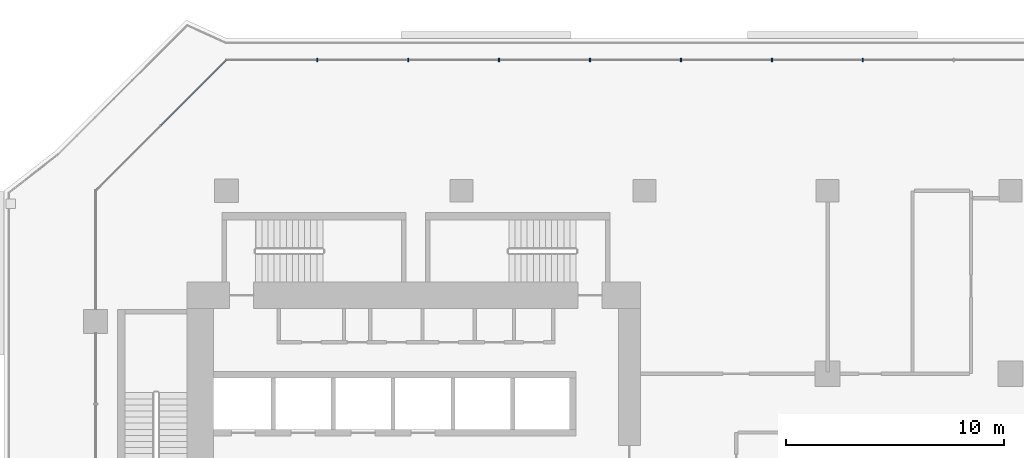
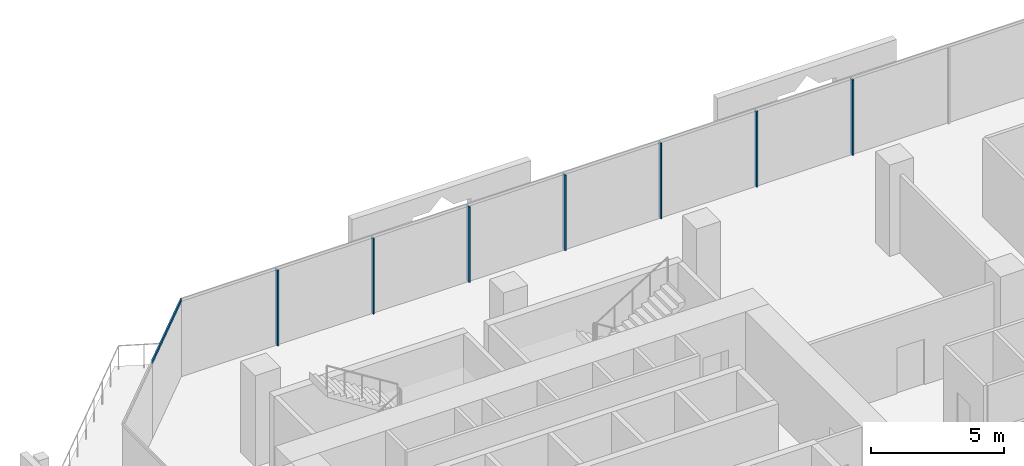
# One storey, part 8 of 25: 8 members, 2 elements without a shape of their own.
"""IFC4 building model written with IfcOpenShell, lengths in metres."""

from ifc_helpers import new_model, si_unit, direction, frame, origin, origin_2d, place, context, subcontext, project, spatial, rectangle, extrude, material, layer, layer_set, material_profile, profile_set, type_object, element, aggregate, save


model = new_model("IFC4")

# Units and contexts
model_context = context("Model", 3, precision=1e-05, world=origin(), true_north=direction((0.0, 1.0)))
body_context = subcontext(model_context, "Body", "Model", "MODEL_VIEW")
ifc_project = project(units=[si_unit("LENGTHUNIT", "METRE"), si_unit("AREAUNIT", "SQUARE_METRE"), si_unit("VOLUMEUNIT", "CUBIC_METRE"), si_unit("PLANEANGLEUNIT", "RADIAN"), si_unit("MASSUNIT", "GRAM", prefix="KILO")], contexts=[model_context])

# Site, building, storey
site_placement = place(None, origin())
site = spatial("IfcSite", under=ifc_project, at=site_placement, CompositionType="ELEMENT")
building_placement = place(site_placement, origin())
building = spatial("IfcBuilding", under=site, at=building_placement, Name="Kawkab Arch Medical Tower", CompositionType="ELEMENT")
storey_placement = place(building_placement, frame((0.0, 0.0, 111.39990234375)))
storey = spatial("IfcBuildingStorey", under=building, at=storey_placement, Name="L25", CompositionType="ELEMENT", Elevation=111.39990234375)

# Curtain wall, members
ifc_material_1 = material(Name="Bronze anodised aluminium curtain wall frame", Category="aluminium")
ifc_layer_1 = layer(ifc_material_1, 0.159912109375)
ifc_layer_set_1 = layer_set([ifc_layer_1], Name="Bronze anodised aluminium curtain wall frame")
curtain_wall_type_1 = type_object("IfcCurtainWallType", Name="CW1 ward curtain wall", PredefinedType="NOTDEFINED", material=ifc_layer_set_1)
placement = place(storey_placement, origin())
curtain_wall_1 = element("IfcCurtainWall", 1, at=placement, inside=storey, type_object=curtain_wall_type_1, Name="CW1 Ward curtain wall R11", PredefinedType="NOTDEFINED")
ifc_material_2 = material(Name="Bronze anodised aluminium curtain wall frame", Category="aluminium")
ifc_material_profile_1 = material_profile(ifc_material_2, rectangle(XDim=0.179931640625, YDim=0.06005859375, at=origin_2d()), Name="AL 60x180")
ifc_profile_set_1 = profile_set([ifc_material_profile_1], Name="Bronze anodised aluminium curtain wall frame")
member_type_1 = type_object("IfcMemberType", Name="CW1 mullion 60 x 180", PredefinedType="MULLION", material=ifc_profile_set_1)
member_1_placement = place(storey_placement, frame((35.21337890625, 6.0, 0.0), z_axis=(0.0, 0.0, 1.0), x_axis=(0.0, -1.0, 0.0)))
member_1 = element("IfcMember", 2, at=member_1_placement, type_object=member_type_1, Name="CW1 mullion 1.8", PredefinedType="MULLION", context=body_context, shape_type="SweptSolid", body=[
    extrude(rectangle(XDim=0.179931640625, YDim=0.06005859375, at=origin_2d()), origin(), (0.0, 0.0, 1.0), 3.47998046875),
])
member_2_placement = place(storey_placement, frame((31.0400390625, 6.0, 0.0), z_axis=(0.0, 0.0, 1.0), x_axis=(0.0, -1.0, 0.0)))
member_2 = element("IfcMember", 3, at=member_2_placement, type_object=member_type_1, Name="CW1 mullion 1.9", PredefinedType="MULLION", context=body_context, shape_type="SweptSolid", body=[
    extrude(rectangle(XDim=0.179931640625, YDim=0.06005859375, at=origin_2d()), origin(), (0.0, 0.0, 1.0), 3.47998046875),
])
member_3_placement = place(storey_placement, frame((26.86669921875, 6.0, 0.0), z_axis=(0.0, 0.0, 1.0), x_axis=(0.0, -1.0, 0.0)))
member_3 = element("IfcMember", 4, at=member_3_placement, type_object=member_type_1, Name="CW1 mullion 1.10", PredefinedType="MULLION", context=body_context, shape_type="SweptSolid", body=[
    extrude(rectangle(XDim=0.179931640625, YDim=0.06005859375, at=origin_2d()), origin(), (0.0, 0.0, 1.0), 3.47998046875),
])
member_4_placement = place(storey_placement, frame((22.693359375, 6.0, 0.0), z_axis=(0.0, 0.0, 1.0), x_axis=(0.0, -1.0, 0.0)))
member_4 = element("IfcMember", 5, at=member_4_placement, type_object=member_type_1, Name="CW1 mullion 1.11", PredefinedType="MULLION", context=body_context, shape_type="SweptSolid", body=[
    extrude(rectangle(XDim=0.179931640625, YDim=0.06005859375, at=origin_2d()), origin(), (0.0, 0.0, 1.0), 3.47998046875),
])
member_5_placement = place(storey_placement, frame((18.52001953125, 6.0, 0.0), z_axis=(0.0, 0.0, 1.0), x_axis=(0.0, -1.0, 0.0)))
member_5 = element("IfcMember", 6, at=member_5_placement, type_object=member_type_1, Name="CW1 mullion 1.12", PredefinedType="MULLION", context=body_context, shape_type="SweptSolid", body=[
    extrude(rectangle(XDim=0.179931640625, YDim=0.06005859375, at=origin_2d()), origin(), (0.0, 0.0, 1.0), 3.47998046875),
])
member_6_placement = place(storey_placement, frame((14.3466796875, 6.0, 0.0), z_axis=(0.0, 0.0, 1.0), x_axis=(0.0, -1.0, 0.0)))
member_6 = element("IfcMember", 7, at=member_6_placement, type_object=member_type_1, Name="CW1 mullion 1.13", PredefinedType="MULLION", context=body_context, shape_type="SweptSolid", body=[
    extrude(rectangle(XDim=0.179931640625, YDim=0.06005859375, at=origin_2d()), origin(), (0.0, 0.0, 1.0), 3.47998046875),
])
member_7_placement = place(storey_placement, frame((10.17333984375, 6.0, 0.0), z_axis=(0.0, 0.0, 1.0), x_axis=(0.0, -1.0, 0.0)))
member_7 = element("IfcMember", 8, at=member_7_placement, type_object=member_type_1, Name="CW1 mullion 1.14", PredefinedType="MULLION", context=body_context, shape_type="SweptSolid", body=[
    extrude(rectangle(XDim=0.179931640625, YDim=0.06005859375, at=origin_2d()), origin(), (0.0, 0.0, 1.0), 3.47998046875),
])
aggregate(curtain_wall_1, [member_1, member_2, member_3, member_4, member_5, member_6, member_7])

# Curtain wall, member
ifc_material_3 = material(Name="Bronze anodised aluminium curtain wall frame", Category="aluminium")
ifc_layer_2 = layer(ifc_material_3, 0.159912109375)
ifc_layer_set_2 = layer_set([ifc_layer_2], Name="Bronze anodised aluminium curtain wall frame")
curtain_wall_type_2 = type_object("IfcCurtainWallType", Name="CW2 chamfer curtain wall", PredefinedType="NOTDEFINED", material=ifc_layer_set_2)
curtain_wall_2 = element("IfcCurtainWall", 9, at=placement, inside=storey, type_object=curtain_wall_type_2, Name="CW2 Chamfer curtain wall R12", PredefinedType="NOTDEFINED")
ifc_material_4 = material(Name="Bronze anodised aluminium curtain wall frame", Category="aluminium")
ifc_material_profile_2 = material_profile(ifc_material_4, rectangle(XDim=0.06005859375, YDim=0.139892578125, at=origin_2d()), Name="AL 60x140")
ifc_profile_set_2 = profile_set([ifc_material_profile_2], Name="Bronze anodised aluminium curtain wall frame")
member_type_2 = type_object("IfcMemberType", Name="CW2 transom 140 x 60", PredefinedType="USERDEFINED", material=ifc_profile_set_2)
member_8_placement = place(storey_placement, frame((6.0, 6.0, 3.530029296875), z_axis=(-0.707106781187, -0.707106781187, 0.0), x_axis=(0.707106781187, -0.707106781187, 0.0)))
member_8 = element("IfcMember", 10, at=member_8_placement, type_object=member_type_2, Name="CW2 transom 1", ObjectType="TRANSOM", PredefinedType="USERDEFINED", context=body_context, shape_type="SweptSolid", body=[
    extrude(rectangle(XDim=0.06005859375, YDim=0.139892578125, at=origin_2d()), origin(), (0.0, 0.0, 1.0), 4.24267578125),
])
aggregate(curtain_wall_2, [member_8])

save(model, "model.ifc")
